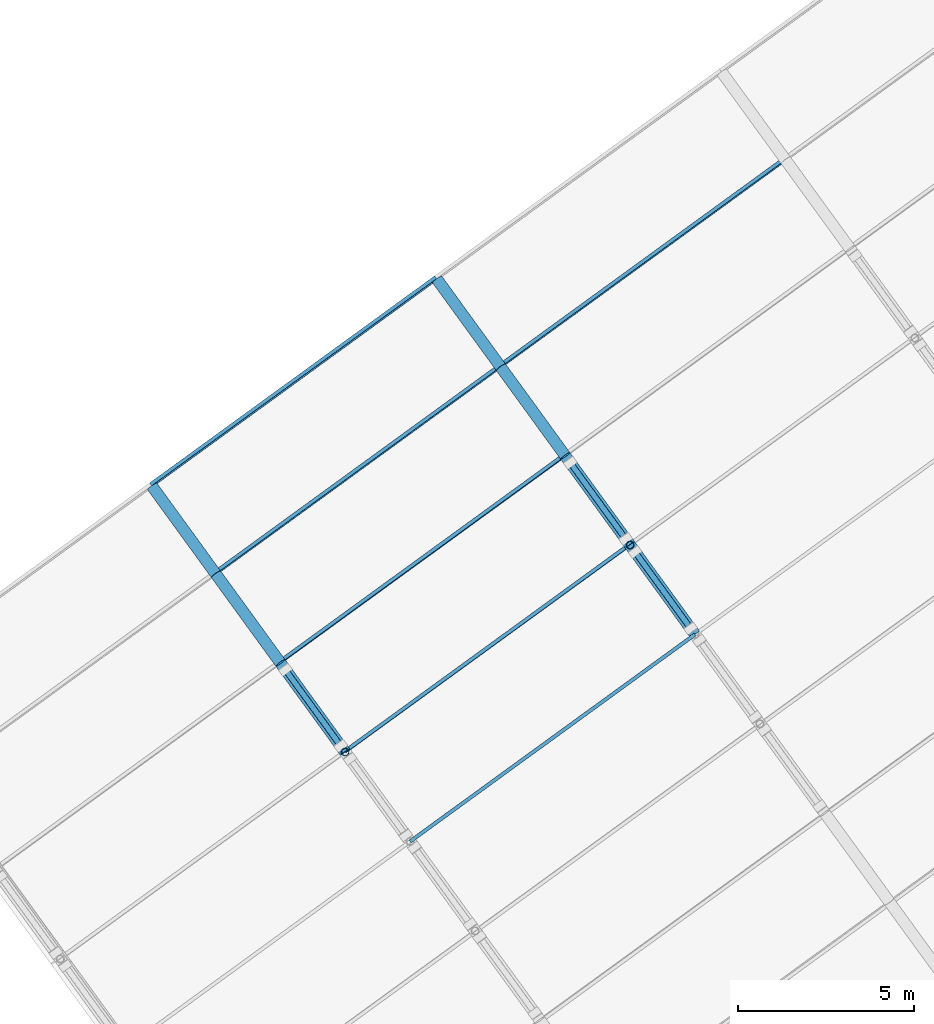
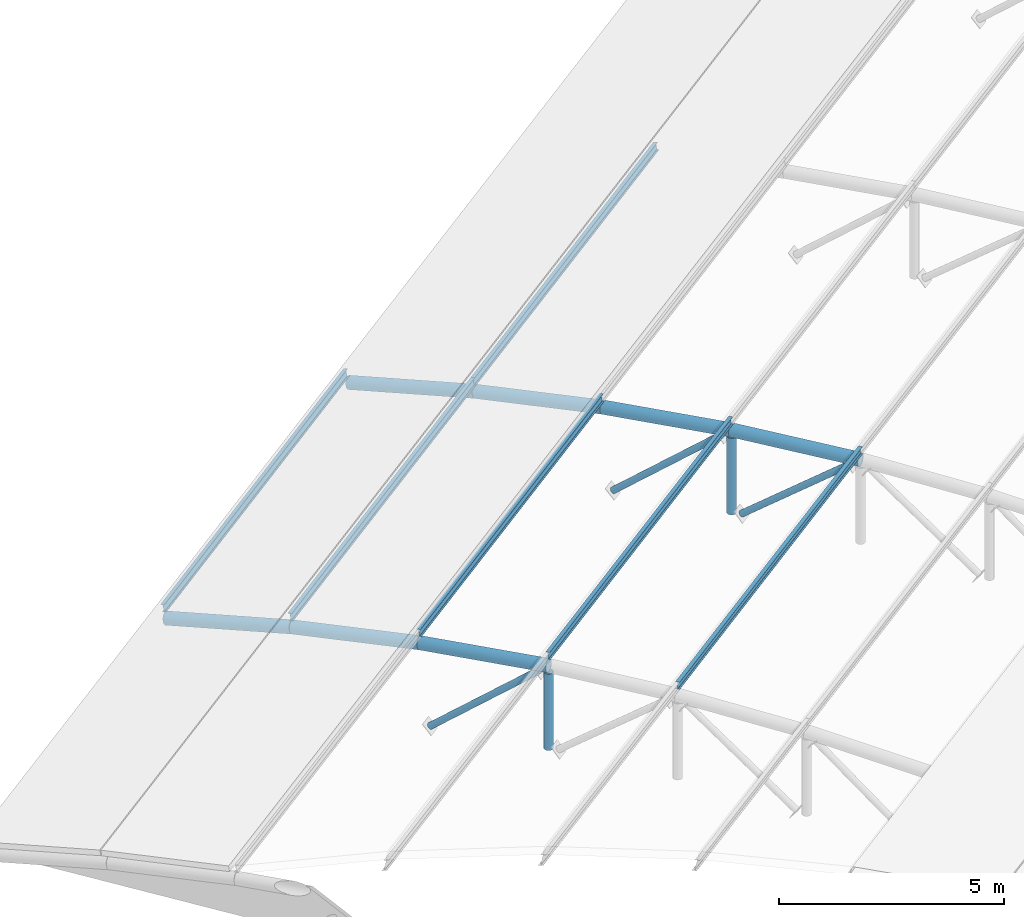
# One storey, part 14 of 41: 12 members, 6 beams.
"""IFC4 building model written with IfcOpenShell, lengths in metres."""

import ifcopenshell
import ifcopenshell.guid

model = None  # the IFC model being written
_history = None  # IfcOwnerHistory: only IFC2X3 demands one
_inside = {}  # id of a spatial element -> (the spatial element, [elements in it])
_under = {}  # id of a project, library or spatial element -> (it, [spatial elements below it])
_declared = {}  # id of a project -> (the project, [libraries it declares])
_typed = {}  # id of a type object -> (the type object, [elements of that type])
_made_of = {}  # id of a material, layer set ... -> (it, [elements and type objects made of it])


def new_model(schema):
    """Start an empty IFC model of exactly this schema.

    Asked for "IFC4X3", IfcOpenShell would pick the latest addendum, in which some entities
    have other attributes; the version numbers below select the first issue.
    IFC2X3 requires an IfcOwnerHistory on every rooted entity: one is made here for all.
    """
    global model, _history
    if schema == "IFC4X3":
        model = ifcopenshell.file(schema_version=(4, 3, 0, 0))
    else:
        model = ifcopenshell.file(schema=schema)
    _inside.clear()
    _under.clear()
    _declared.clear()
    _typed.clear()
    _made_of.clear()
    _history = None
    if model.schema == "IFC2X3":
        org = make("IfcOrganization", Name="unknown")
        user = make(
            "IfcPersonAndOrganization",
            ThePerson=make("IfcPerson", FamilyName="unknown"),
            TheOrganization=org,
        )
        app = make(
            "IfcApplication",
            ApplicationDeveloper=org,
            Version="unknown",
            ApplicationFullName="unknown",
            ApplicationIdentifier="unknown",
        )
        _history = make(
            "IfcOwnerHistory",
            OwningUser=user,
            OwningApplication=app,
            ChangeAction="ADDED",
            CreationDate=0,
        )
    return model


def make(cls, **values):
    """One entity of the class cls with the attributes given. An attribute that is None is left unset."""
    return model.create_entity(
        cls, **{name: value for name, value in values.items() if value is not None}
    )


def rooted(cls, **values):
    """An entity with a GlobalId (a new one), such as an element, a storey or a relation."""
    return make(cls, GlobalId=ifcopenshell.guid.new(), OwnerHistory=_history, **values)


def si_unit(unit_type, name, prefix=None):
    """IfcSIUnit, for example si_unit("LENGTHUNIT", "METRE", prefix="MILLI")."""
    return make("IfcSIUnit", UnitType=unit_type, Prefix=prefix, Name=name)


def assignment(units):
    """IfcUnitAssignment: the units of a project."""
    return None if units is None else make("IfcUnitAssignment", Units=units)


def point(xyz):
    """IfcCartesianPoint."""
    return None if xyz is None else make("IfcCartesianPoint", Coordinates=xyz)


def direction(xyz):
    """IfcDirection."""
    return None if xyz is None else make("IfcDirection", DirectionRatios=xyz)


def frame(location, z_axis=None, x_axis=None):
    """IfcAxis2Placement3D, a coordinate frame: its origin and axes. An axis left out is left unset."""
    return make(
        "IfcAxis2Placement3D",
        Location=point(location),
        Axis=direction(z_axis),
        RefDirection=direction(x_axis),
    )


def frame_2d(location, x_axis=None):
    """IfcAxis2Placement2D, a coordinate frame in the plane: its origin and x axis."""
    return make(
        "IfcAxis2Placement2D", Location=point(location), RefDirection=direction(x_axis)
    )


def origin():
    """The frame at (0, 0, 0) with its axes left unset."""
    return frame((0.0, 0.0, 0.0))


def origin_2d():
    """The frame at (0, 0) in the plane with its x axis left unset."""
    return frame_2d((0.0, 0.0))


def place(relative_to, where):
    """IfcLocalPlacement: puts the frame where relative to a parent placement (None: the world)."""
    return make(
        "IfcLocalPlacement", PlacementRelTo=relative_to, RelativePlacement=where
    )


def context(
    kind, dimensions, precision=None, world=None, true_north=None, identifier=None
):
    """IfcGeometricRepresentationContext, for example the 3D "Model" context."""
    return make(
        "IfcGeometricRepresentationContext",
        ContextIdentifier=identifier,
        ContextType=kind,
        CoordinateSpaceDimension=dimensions,
        Precision=precision,
        WorldCoordinateSystem=world,
        TrueNorth=true_north,
    )


def subcontext(parent, identifier, kind, view, scale=None):
    """IfcGeometricRepresentationSubContext, for example "Body" below "Model"."""
    return make(
        "IfcGeometricRepresentationSubContext",
        ContextIdentifier=identifier,
        ContextType=kind,
        ParentContext=parent,
        TargetScale=scale,
        TargetView=view,
    )


def project(units=None, contexts=None):
    """IfcProject with its units and contexts."""
    return rooted(
        "IfcProject",
        Name="project",
        RepresentationContexts=contexts,
        UnitsInContext=assignment(units),
    )


def spatial(cls, under=None, at=None, **own):
    """A site, building, storey or space (cls), placed at a placement, below another one or the project."""
    s = rooted(cls, ObjectPlacement=at, **own)
    if under is not None:
        _under.setdefault(under.id(), (under, []))[1].append(s)
    return s


def profile(cls, at=None, kind="AREA", **sizes):
    """A parametric profile (cls). Its sizes go by their IFC names, for example OverallWidth=200.0."""
    return make(cls, ProfileType=kind, Position=at, **sizes)


def hollow_circle(**sizes):
    """IfcCircleHollowProfileDef."""
    return profile("IfcCircleHollowProfileDef", **sizes)


def i_section(**sizes):
    """IfcIShapeProfileDef."""
    return profile("IfcIShapeProfileDef", **sizes)


def extrude(swept, where, along, depth):
    """IfcExtrudedAreaSolid: the profile swept, set in the frame where, extruded along a direction by depth."""
    return make(
        "IfcExtrudedAreaSolid",
        SweptArea=swept,
        Position=where,
        ExtrudedDirection=direction(along),
        Depth=depth,
    )


def shape(context_of_items, identifier, shape_type, items):
    """IfcShapeRepresentation: the items that make up one representation, for example the "Body"."""
    return make(
        "IfcShapeRepresentation",
        ContextOfItems=context_of_items,
        RepresentationIdentifier=identifier,
        RepresentationType=shape_type,
        Items=items,
    )


def material(Name=None, Category=None):
    """IfcMaterial."""
    return make("IfcMaterial", Name=Name, Category=Category)


def material_profile(
    of_material, cross_section, Name=None, Category=None, Priority=None
):
    """IfcMaterialProfile: a cross section and its material."""
    return make(
        "IfcMaterialProfile",
        Name=Name,
        Material=of_material,
        Profile=cross_section,
        Priority=Priority,
        Category=Category,
    )


def profile_set(profiles, Name=None, composite=None):
    """IfcMaterialProfileSet."""
    return make(
        "IfcMaterialProfileSet",
        Name=Name,
        MaterialProfiles=profiles,
        CompositeProfile=composite,
    )


def made_of(thing, what):
    """Note that an element or type object is made of a material, layer set ...; save() writes the relation."""
    if what is not None:
        _made_of.setdefault(what.id(), (what, []))[1].append(thing)
    return thing


def type_object(cls, material=None, **own):
    """A type object (cls), such as IfcWallType, which elements share."""
    return made_of(rooted(cls, **own), material)


def element(
    cls,
    number,
    at=None,
    inside=None,
    cuts=None,
    type_object=None,
    material=None,
    context=None,
    identifier="Body",
    shape_type=None,
    held_by="IfcProductDefinitionShape",
    body=None,
    shapes=None,
    **own,
):
    """One element of the class cls, such as IfcWall. Its Tag is "e" and its number.

    at: its placement. inside: the storey or other place that contains it. cuts: it is an
    opening in that element (IfcRelVoidsElement). A single representation is given by context,
    identifier, shape_type and body (its items); several are given by shapes. held_by: the class
    of the entity that holds the representations. save() writes the other relations.
    """
    e = rooted(cls, Tag="e%d" % number, ObjectPlacement=at, **own)
    if body is not None:
        shapes = [shape(context, identifier, shape_type, body)]
    if shapes is not None:
        e.Representation = make(held_by, Representations=shapes)
    if inside is not None:
        _inside.setdefault(inside.id(), (inside, []))[1].append(e)
    if cuts is not None:
        rooted(
            "IfcRelVoidsElement", RelatingBuildingElement=cuts, RelatedOpeningElement=e
        )
    if type_object is not None:
        _typed.setdefault(type_object.id(), (type_object, []))[1].append(e)
    return made_of(e, material)


def aggregate(whole, parts):
    """IfcRelAggregates: a whole, such as a stair, and the parts it consists of."""
    return rooted("IfcRelAggregates", RelatingObject=whole, RelatedObjects=parts)


def save(model, path):
    """Write the relations noted so far, then the file.

    IfcRelAggregates (storeys below a building ...), IfcRelContainedInSpatialStructure (elements
    in a storey), IfcRelDefinesByType, IfcRelAssociatesMaterial and IfcRelDeclares: one each for
    every whole, place, type object, material and project.
    """
    for whole, parts in _under.values():
        aggregate(whole, parts)
    for where, things in _inside.values():
        rooted(
            "IfcRelContainedInSpatialStructure",
            RelatedElements=things,
            RelatingStructure=where,
        )
    for kind, things in _typed.values():
        rooted("IfcRelDefinesByType", RelatedObjects=things, RelatingType=kind)
    for what, things in _made_of.values():
        rooted("IfcRelAssociatesMaterial", RelatedObjects=things, RelatingMaterial=what)
    for by, libraries in _declared.values():
        rooted("IfcRelDeclares", RelatingContext=by, RelatedDefinitions=libraries)
    model.write(path)


model = new_model("IFC4")

# Units and contexts
model_context = context("Model", 3, precision=1e-05, world=origin(), true_north=direction((0.0, 1.0)))
body_context = subcontext(model_context, "Body", "Model", "MODEL_VIEW")
ifc_project = project(units=[si_unit("LENGTHUNIT", "METRE"), si_unit("AREAUNIT", "SQUARE_METRE"), si_unit("VOLUMEUNIT", "CUBIC_METRE"), si_unit("PLANEANGLEUNIT", "RADIAN"), si_unit("MASSUNIT", "GRAM", prefix="KILO")], contexts=[model_context])

# Site, building, storey
site_placement = place(None, origin())
site = spatial("IfcSite", under=ifc_project, at=site_placement, CompositionType="ELEMENT")
building_placement = place(site_placement, origin())
building = spatial("IfcBuilding", under=site, at=building_placement, Name="Okhra Congress Centre", CompositionType="ELEMENT")
storey_placement = place(building_placement, frame((0.0, 0.0, 21.60009765625)))
storey = spatial("IfcBuildingStorey", under=building, at=storey_placement, Name="ROOF", CompositionType="ELEMENT", Elevation=21.60009765625)

# Members
ifc_material_1 = material(Name="Steel S355J2H", Category="steel")
ifc_material_profile_1 = material_profile(ifc_material_1, hollow_circle(Radius=0.084228515625, WallThickness=0.00634765625, at=origin_2d()), Name="CHS 168.3x6.3")
ifc_profile_set_1 = profile_set([ifc_material_profile_1], Name="Steel S355J2H")
member_type_1 = type_object("IfcMemberType", Name="CHS 168.3x6.3", PredefinedType="BRACE", material=ifc_profile_set_1)
member_1_placement = place(storey_placement, frame((218.489990234375, 188.703125, -1.07080078125), z_axis=(0.44685165687, -0.615058439697, 0.649635830685), x_axis=(0.809026036893, 0.587772806133, 0.0)))
element("IfcMember", 1, at=member_1_placement, inside=storey, type_object=member_type_1, Name="Truss 2 diagonal 11", PredefinedType="BRACE", context=body_context, shape_type="SweptSolid", body=[
    extrude(hollow_circle(Radius=0.084228515625, WallThickness=0.00634765625, at=origin_2d()), origin(), (0.0, 0.0, 1.0), 3.4951171875),
])
member_2_placement = place(storey_placement, frame((228.419189453125, 192.0498046875, -0.812255859375), z_axis=(0.460448717269, -0.633717368933, 0.621602183939), x_axis=(0.809001151091, 0.587807058084, 0.0)))
element("IfcMember", 2, at=member_2_placement, inside=storey, type_object=member_type_1, Name="Truss 3 diagonal 10", PredefinedType="BRACE", context=body_context, shape_type="SweptSolid", body=[
    extrude(hollow_circle(Radius=0.084228515625, WallThickness=0.00634765625, at=origin_2d()), origin(), (0.0, 0.0, 1.0), 3.405517578125),
])
member_3_placement = place(storey_placement, frame((226.580078125, 194.5810546875, -1.07080078125), z_axis=(0.446907559509, -0.615039240618, 0.649615552272), x_axis=(0.808982344695, 0.587832940529, 0.0)))
element("IfcMember", 3, at=member_3_placement, inside=storey, type_object=member_type_1, Name="Truss 3 diagonal 11", PredefinedType="BRACE", context=body_context, shape_type="SweptSolid", body=[
    extrude(hollow_circle(Radius=0.084228515625, WallThickness=0.00634765625, at=origin_2d()), origin(), (0.0, 0.0, 1.0), 3.4951171875),
])
ifc_material_profile_2 = material_profile(ifc_material_1, hollow_circle(Radius=0.109619140625, WallThickness=0.008056640625, at=origin_2d()), Name="CHS 219.1x8")
ifc_profile_set_2 = profile_set([ifc_material_profile_2], Name="Steel S355J2H")
member_type_2 = type_object("IfcMemberType", Name="CHS 219.1x8", PredefinedType="POST", material=ifc_profile_set_2)
for number, where, z_axis, x_axis, name in (
    (4, (220.184814453125, 186.370361328125, -0.842529296875), (0.0, 0.0, 1.0), (1.0, 0.0, 0.0), "Truss 2 post 10"),
    (5, (228.275146484375, 192.248291015625, -0.842529296875), (0.0, 0.0, 1.0), (1.0, 0.0, 0.0), "Truss 3 post 10"),
):
    element("IfcMember", number, at=place(storey_placement, frame(where, z_axis=z_axis, x_axis=x_axis)), inside=storey, type_object=member_type_2, Name=name, PredefinedType="POST", context=body_context, shape_type="SweptSolid", body=[
        extrude(hollow_circle(Radius=0.109619140625, WallThickness=0.008056640625, at=origin_2d()), origin(), (0.0, 0.0, 1.0), 2.071533203125),
    ])
ifc_material_profile_3 = material_profile(ifc_material_1, hollow_circle(Radius=0.161865234375, WallThickness=0.012451171875, at=origin_2d()), Name="CHS 323.9x12.5")
ifc_profile_set_3 = profile_set([ifc_material_profile_3], Name="Steel S355J2H")
member_type_3 = type_object("IfcMemberType", Name="CHS 323.9x12.5", PredefinedType="CHORD", material=ifc_profile_set_3)
member_4_placement = place(storey_placement, frame((220.184814453125, 186.370361328125, 1.39306640625), z_axis=(-0.585523302268, 0.805959262076, -0.087132831786), x_axis=(-0.809036267872, -0.587758723684, 0.0)))
element("IfcMember", 6, at=member_4_placement, inside=storey, type_object=member_type_3, Name="Truss 2 top chord 11", PredefinedType="CHORD", context=body_context, shape_type="SweptSolid", body=[
    extrude(hollow_circle(Radius=0.161865234375, WallThickness=0.012451171875, at=origin_2d()), origin(), (0.0, 0.0, 1.0), 3.140869140625),
])
for number, where, z_axis, x_axis, name in (
    (7, (218.345703125, 188.90185546875, 1.119384765625), (-0.581594707866, 0.800460229362, -0.144951774712), (-0.809004349852, -0.587802655592, 0.0), "Truss 2 top chord 12"),
    (8, (216.518798828125, 191.416259765625, 0.6640625), (-0.575629649566, 0.792326309435, -0.202162127805), (-0.80903112876, -0.587765797488, 0.0), "Truss 2 top chord 13"),
    (9, (230.12060546875, 189.7080078125, 1.484619140625), (-0.587501206553, 0.808698247677, -0.02914578019), (-0.809041951748, -0.587750899881, 0.0), "Truss 3 top chord 10"),
    (10, (228.275146484375, 192.248291015625, 1.39306640625), (-0.585574378555, 0.805922581794, -0.087128866254), (-0.808999165888, -0.587809790317, 0.0), "Truss 3 top chord 11"),
    (11, (226.435791015625, 194.77978515625, 1.119384765625), (-0.581594707866, 0.800460229362, -0.144951774712), (-0.809004349852, -0.587802655592, 0.0), "Truss 3 top chord 12"),
    (12, (224.60888671875, 197.294189453125, 0.6640625), (-0.575629649566, 0.792326309435, -0.202162127805), (-0.80903112876, -0.587765797488, 0.0), "Truss 3 top chord 13"),
):
    element("IfcMember", number, at=place(storey_placement, frame(where, z_axis=z_axis, x_axis=x_axis)), inside=storey, type_object=member_type_3, Name=name, PredefinedType="CHORD", context=body_context, shape_type="SweptSolid", body=[
        extrude(hollow_circle(Radius=0.161865234375, WallThickness=0.012451171875, at=origin_2d()), origin(), (0.0, 0.0, 1.0), 3.14111328125),
    ])

# Beams
ifc_material_2 = material(Name="Steel S355J2", Category="steel")
ifc_material_profile_4 = material_profile(ifc_material_2, i_section(OverallWidth=0.10009765625, OverallDepth=0.199951171875, WebThickness=0.005615234375, FlangeThickness=0.008544921875, FilletRadius=0.011962890625, at=origin_2d()), Name="IPE 200")
ifc_profile_set_4 = profile_set([ifc_material_profile_4], Name="Steel S355J2")
beam_type = type_object("IfcBeamType", Name="IPE 200", PredefinedType="BEAM", material=ifc_profile_set_4)
beam_placement = place(storey_placement, frame((222.030517578125, 183.830078125, 1.743408203125), z_axis=(0.809010490052, 0.58779420462, 0.0), x_axis=(-0.58779420462, 0.809010490052, 0.0)))
element("IfcBeam", 13, at=beam_placement, inside=storey, type_object=beam_type, Name="Purlin 10.56", PredefinedType="BEAM", context=body_context, shape_type="SweptSolid", body=[
    extrude(i_section(OverallWidth=0.10009765625, OverallDepth=0.199951171875, WebThickness=0.005615234375, FlangeThickness=0.008544921875, FilletRadius=0.011962890625, at=origin_2d()), origin(), (0.0, 0.0, 1.0), 10.0),
])
for number, where, z_axis, x_axis, name in (
    (14, (220.176025390625, 186.382568359375, 1.651611328125), (0.809018924928, 0.587782595105, 0.0), (-0.586788159983, 0.807650192952, -0.058144828905), "Purlin 11.62"),
    (15, (218.327880859375, 188.92626953125, 1.376708984375), (0.809018924928, 0.587782595105, 0.0), (-0.583808219471, 0.803548628377, -0.116092914131), "Purlin 12.68"),
):
    element("IfcBeam", number, at=place(storey_placement, frame(where, z_axis=z_axis, x_axis=x_axis)), inside=storey, type_object=beam_type, Name=name, PredefinedType="BEAM", context=body_context, shape_type="SweptSolid", body=[
        extrude(i_section(OverallWidth=0.10009765625, OverallDepth=0.199951171875, WebThickness=0.005615234375, FlangeThickness=0.008544921875, FilletRadius=0.011962890625, at=origin_2d()), origin(), (0.0, 0.0, 1.0), 10.000244140625),
    ])
for number, where, z_axis, x_axis, name in (
    (16, (216.492431640625, 191.45263671875, 0.919189453125), (0.809010490052, 0.58779420462, 0.0), (-0.578864289886, 0.796719802872, -0.173648177667), "Purlin 13.74"),
    (17, (224.58251953125, 197.33056640625, 0.919189453125), (0.809010490052, 0.58779420462, 0.0), (-0.578864289886, 0.796719802872, -0.173648177667), "Purlin 13.75"),
    (18, (214.675537109375, 193.953369140625, 0.281005859375), (0.809010490052, 0.58779420462, 0.0), (-0.571950135763, 0.787203507592, -0.230615870737), "Purlin 14.80"),
):
    element("IfcBeam", number, at=place(storey_placement, frame(where, z_axis=z_axis, x_axis=x_axis)), inside=storey, type_object=beam_type, Name=name, PredefinedType="BEAM", context=body_context, shape_type="SweptSolid", body=[
        extrude(i_section(OverallWidth=0.10009765625, OverallDepth=0.199951171875, WebThickness=0.005615234375, FlangeThickness=0.008544921875, FilletRadius=0.011962890625, at=origin_2d()), origin(), (0.0, 0.0, 1.0), 10.0),
    ])

save(model, "model.ifc")
